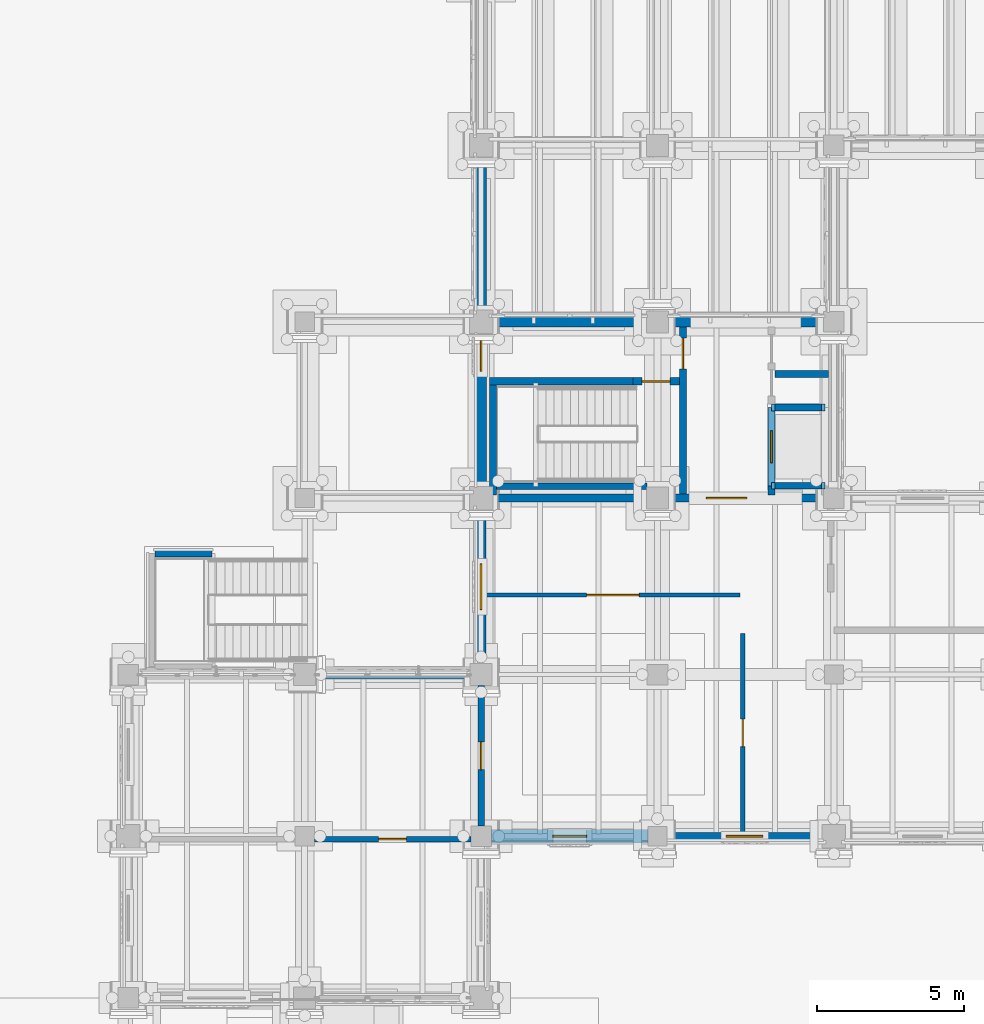
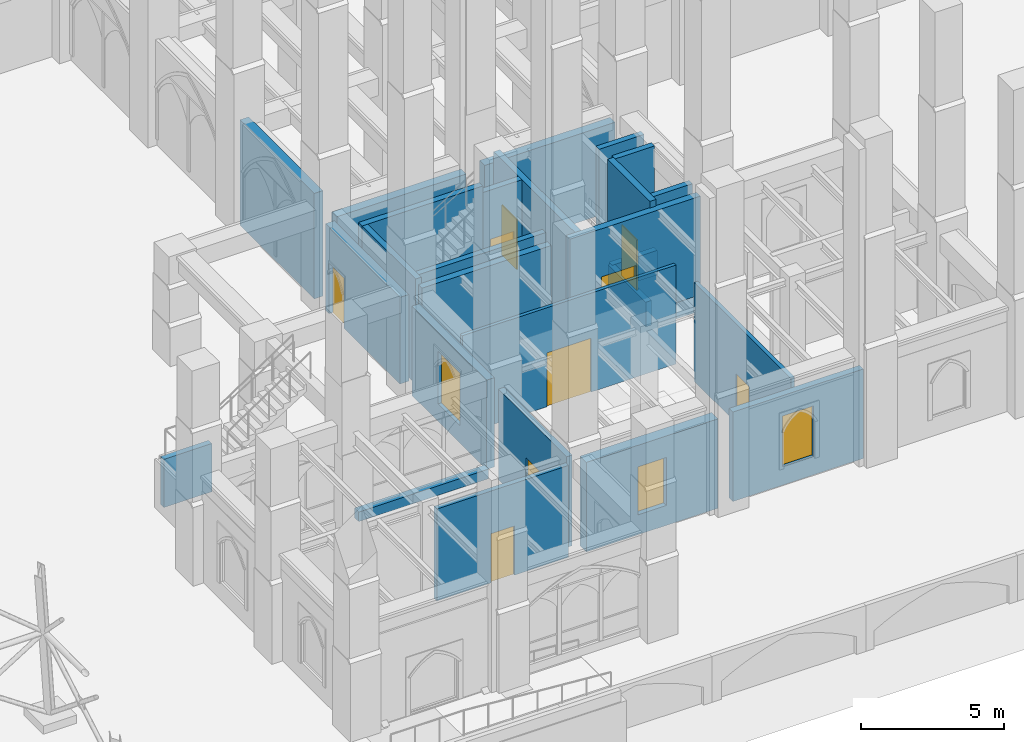
# One storey, part 64 of 135: 27 walls, 9 doors, 3 windows, 12 openings.
"""IFC4 building model written with IfcOpenShell, lengths in metres."""

from ifc_helpers import new_model, si_unit, direction, frame, frame_2d, origin, place, context, subcontext, project, spatial, rectangle, extrude, material, layer, layer_set, type_object, element, fill, save


model = new_model("IFC4")

# Units and contexts
model_context = context("Model", 3, precision=1e-05, world=origin(), true_north=direction((0.0, 1.0)))
body_context = subcontext(model_context, "Body", "Model", "MODEL_VIEW")
ifc_project = project(units=[si_unit("LENGTHUNIT", "METRE"), si_unit("AREAUNIT", "SQUARE_METRE"), si_unit("VOLUMEUNIT", "CUBIC_METRE"), si_unit("PLANEANGLEUNIT", "RADIAN"), si_unit("MASSUNIT", "GRAM", prefix="KILO")], contexts=[model_context])

# Site, building, storey
site_placement = place(None, origin())
site = spatial("IfcSite", under=ifc_project, at=site_placement, CompositionType="ELEMENT")
building_placement = place(site_placement, origin())
building = spatial("IfcBuilding", under=site, at=building_placement, Name="Cumevento Cable Car Station", CompositionType="ELEMENT")
storey_placement = place(building_placement, origin())
storey = spatial("IfcBuildingStorey", under=building, at=storey_placement, Name="L01", CompositionType="ELEMENT", Elevation=0.0)

# Wall, opening, window
ifc_material_1 = material(Name="Gnaisse Facoidal Stone Ashlar 85 MPa", Category="masonry")
ifc_layer_1 = layer(ifc_material_1, 0.264892578125)
ifc_layer_set_1 = layer_set([ifc_layer_1], Name="Gnaisse Facoidal Stone Ashlar 85 MPa")
wall_type_1 = type_object("IfcWallType", Name="Exterior Envelope Wall EW-265 265", PredefinedType="SOLIDWALL", material=ifc_layer_set_1)
wall_1_placement = place(storey_placement, frame((129.60009765625, 9.5, 0.0), z_axis=(0.0, 0.0, 1.0), x_axis=(-1.0, 0.0, 0.0)))
wall_1 = element("IfcWall", 1, at=wall_1_placement, inside=storey, type_object=wall_type_1, Name="Exterior Wall EW-265 L01 #65", PredefinedType="SOLIDWALL", context=body_context, shape_type="SweptSolid", body=[
    extrude(rectangle(XDim=5.275146484375, YDim=0.264892578125, at=frame_2d((2.6376953125, 0.0))), origin(), (0.0, 0.0, 1.0), 3.821044921875),
])
opening_1_placement = place(wall_1_placement, frame((2.012451171875, 0.0, 0.800048828125)))
opening_1 = element("IfcOpeningElement", 2, at=opening_1_placement, cuts=wall_1, Name="Opening WN-L01-029", PredefinedType="OPENING", context=body_context, shape_type="SweptSolid", body=[
    extrude(rectangle(XDim=1.25, YDim=2.14990234375, at=frame_2d((0.625, 1.074951171875))), frame((0.0, 0.142333984375, 0.0), z_axis=(0.0, -1.0, 0.0), x_axis=(1.0, 0.0, 0.0)), (0.0, 0.0, 1.0), 0.284912109375),
])
ifc_material_2 = material(Name="Anodised Bronze Aluminium & Laminated Solar Glass", Category="aluminium")
window_type_1 = type_object("IfcWindowType", Name="Lancet Window WN-05 1250x2150", PartitioningType="SINGLE_PANEL", PredefinedType="WINDOW", material=ifc_material_2)
window_1_placement = place(opening_1_placement, origin())
window_1 = element("IfcWindow", 3, at=window_1_placement, inside=storey, type_object=window_type_1, Name="Lancet Window WN-L01-029 (WN-05)", OverallHeight=2.14990234375, OverallWidth=1.25, PartitioningType="SINGLE_PANEL", PredefinedType="WINDOW", context=body_context, shape_type="SweptSolid", body=[
    extrude(rectangle(XDim=1.25, YDim=2.14990234375, at=frame_2d((0.625, 1.074951171875))), frame((0.0, 0.030029296875, 0.0), z_axis=(0.0, -1.0, 0.0), x_axis=(1.0, 0.0, 0.0)), (0.0, 0.0, 1.0), 0.06005859375),
])
fill(opening_1, window_1)

# Wall
ifc_material_3 = material(Name="Gnaisse Facoidal Stone Ashlar 85 MPa", Category="masonry")
ifc_layer_2 = layer(ifc_material_3, 0.294921875)
ifc_layer_set_2 = layer_set([ifc_layer_2], Name="Gnaisse Facoidal Stone Ashlar 85 MPa")
wall_type_2 = type_object("IfcWallType", Name="Exterior Envelope Wall EW-295 295", PredefinedType="SOLIDWALL", material=ifc_layer_set_2)
wall_2_placement = place(storey_placement, frame((112.375, 15.0, 0.0), z_axis=(0.0, 0.0, 1.0), x_axis=(1.0, 0.0, 0.0)))
element("IfcWall", 4, at=wall_2_placement, inside=storey, type_object=wall_type_2, Name="Exterior Sill Curb Wall EW-295 L01 #26", PredefinedType="SOLIDWALL", context=body_context, shape_type="SweptSolid", body=[
    extrude(rectangle(XDim=5.25, YDim=0.294921875, at=frame_2d((2.625, 0.0))), origin(), (0.0, 0.0, 1.0), 0.409912109375),
])

# Wall, opening, window
ifc_material_4 = material(Name="Gnaisse Facoidal Stone Ashlar 85 MPa", Category="masonry")
ifc_layer_3 = layer(ifc_material_4, 0.324951171875)
ifc_layer_set_3 = layer_set([ifc_layer_3], Name="Gnaisse Facoidal Stone Ashlar 85 MPa")
wall_type_3 = type_object("IfcWallType", Name="Exterior Envelope Wall EW-325 325", PredefinedType="SOLIDWALL", material=ifc_layer_set_3)
wall_3_placement = place(storey_placement, frame((118.0, 15.375, 0.0), z_axis=(0.0, 0.0, 1.0), x_axis=(0.0, 1.0, 0.0)))
wall_3 = element("IfcWall", 5, at=wall_3_placement, inside=storey, type_object=wall_type_3, Name="Exterior Wall EW-325 L01 #69", PredefinedType="SOLIDWALL", context=body_context, shape_type="SweptSolid", body=[
    extrude(rectangle(XDim=5.22509765625, YDim=0.324951171875, at=frame_2d((2.612548828125, 0.0))), origin(), (0.0, 0.0, 1.0), 3.80908203125),
])
opening_2_placement = place(wall_3_placement, frame((1.83740234375, 0.0, 0.75)))
opening_2 = element("IfcOpeningElement", 6, at=opening_2_placement, cuts=wall_3, Name="Opening WN-L01-032", PredefinedType="OPENING", context=body_context, shape_type="SweptSolid", body=[
    extrude(rectangle(XDim=1.550048828125, YDim=2.25, at=frame_2d((0.77490234375, 1.125))), frame((0.0, 0.172607421875, 0.0), z_axis=(0.0, -1.0, 0.0), x_axis=(1.0, 0.0, 0.0)), (0.0, 0.0, 1.0), 0.344970703125),
])
ifc_material_5 = material(Name="Anodised Bronze Aluminium & Laminated Solar Glass", Category="aluminium")
window_type_2 = type_object("IfcWindowType", Name="Lancet Window WN-08 1550x2250", PartitioningType="DOUBLE_PANEL_VERTICAL", PredefinedType="WINDOW", material=ifc_material_5)
window_2_placement = place(opening_2_placement, origin())
window_2 = element("IfcWindow", 7, at=window_2_placement, inside=storey, type_object=window_type_2, Name="Lancet Window WN-L01-032 (WN-08)", OverallHeight=2.25, OverallWidth=1.550048828125, PartitioningType="SINGLE_PANEL", PredefinedType="WINDOW", context=body_context, shape_type="SweptSolid", body=[
    extrude(rectangle(XDim=1.550048828125, YDim=2.25, at=frame_2d((0.77490234375, 1.125))), frame((0.0, 0.030029296875, 0.0), z_axis=(0.0, -1.0, 0.0), x_axis=(1.0, 0.0, 0.0)), (0.0, 0.0, 1.0), 0.06005859375),
])
fill(opening_2, window_2)

# Walls
ifc_material_6 = material(Name="Concrete C40/50", Category="concrete")
ifc_layer_4 = layer(ifc_material_6, 0.35498046875)
ifc_layer_set_4 = layer_set([ifc_layer_4], Name="Concrete C40/50")
wall_type_4 = type_object("IfcWallType", Name="Exterior Envelope Wall EW-355 355", PredefinedType="SOLIDWALL", material=ifc_layer_set_4)
wall_4_placement = place(storey_placement, frame((118.39990234375, 27.0, 0.0), z_axis=(0.0, 0.0, 1.0), x_axis=(1.0, 0.0, 0.0)))
element("IfcWall", 8, at=wall_4_placement, inside=storey, type_object=wall_type_4, Name="Exterior Wall EW-355 L01 #71", PredefinedType="SOLIDWALL", context=body_context, shape_type="SweptSolid", body=[
    extrude(rectangle(XDim=5.22509765625, YDim=0.35498046875, at=frame_2d((2.612548828125, 0.0))), origin(), (0.0, 0.0, 1.0), 3.653076171875),
])
wall_5_placement = place(storey_placement, frame((124.375, 27.0, 0.0), z_axis=(0.0, 0.0, 1.0), x_axis=(1.0, 0.0, 0.0)))
element("IfcWall", 9, at=wall_5_placement, inside=storey, type_object=wall_type_4, Name="Exterior Wall EW-355 L01 #72", PredefinedType="SOLIDWALL", context=body_context, shape_type="SweptSolid", body=[
    extrude(rectangle(XDim=5.27490234375, YDim=0.35498046875, at=frame_2d((2.637451171875, 0.0))), origin(), (0.0, 0.0, 1.0), 3.756103515625),
])

# Wall, opening, door
wall_6_placement = place(storey_placement, frame((118.0, 21.39990234375, 0.0), z_axis=(0.0, 0.0, 1.0), x_axis=(0.0, 1.0, 0.0)))
wall_6 = element("IfcWall", 10, at=wall_6_placement, inside=storey, type_object=wall_type_4, Name="Exterior Wall EW-355 L01 #73", PredefinedType="SOLIDWALL", context=body_context, shape_type="SweptSolid", body=[
    extrude(rectangle(XDim=5.2001953125, YDim=0.35498046875, at=frame_2d((2.60009765625, 0.0))), origin(), (0.0, 0.0, 1.0), 3.702880859375),
])
opening_3_placement = place(wall_6_placement, frame((3.909912109375, 0.0, 0.0)))
opening_3 = element("IfcOpeningElement", 11, at=opening_3_placement, cuts=wall_6, Name="Opening DR-L01-EX5", PredefinedType="OPENING", context=body_context, shape_type="SweptSolid", body=[
    extrude(rectangle(XDim=1.050048828125, YDim=2.139892578125, at=frame_2d((0.52490234375, 1.06982421875))), frame((0.0, 0.1875, 0.0), z_axis=(0.0, -1.0, 0.0), x_axis=(1.0, 0.0, 0.0)), (0.0, 0.0, 1.0), 0.375),
])
ifc_material_7 = material(Name="Galvanised Painted Steel Door Assembly", Category="steel")
door_type_1 = type_object("IfcDoorType", Name="Exterior Door ED-11 1050x2140", OperationType="NOTDEFINED", PredefinedType="DOOR", material=ifc_material_7)
door_1_placement = place(opening_3_placement, origin())
door_1 = element("IfcDoor", 12, at=door_1_placement, inside=storey, type_object=door_type_1, Name="Final Pedestrian Exit E5 (Core C5)", OperationType="SINGLE_SWING_RIGHT", OverallHeight=2.139892578125, OverallWidth=1.050048828125, PredefinedType="DOOR", context=body_context, shape_type="SweptSolid", body=[
    extrude(rectangle(XDim=1.050048828125, YDim=2.139892578125, at=frame_2d((0.52490234375, 1.06982421875))), frame((0.0, 0.02490234375, 0.0), z_axis=(0.0, -1.0, 0.0), x_axis=(1.0, 0.0, 0.0)), (0.0, 0.0, 1.0), 0.050048828125),
])
fill(opening_3, door_1)

# Wall, opening, window
ifc_material_8 = material(Name="Concrete C40/50", Category="concrete")
ifc_layer_5 = layer(ifc_material_8, 0.449951171875)
ifc_layer_set_5 = layer_set([ifc_layer_5], Name="Concrete C40/50")
wall_type_5 = type_object("IfcWallType", Name="Exterior Envelope Wall EW-450 450", PredefinedType="SOLIDWALL", material=ifc_layer_set_5)
wall_7_placement = place(storey_placement, frame((123.675048828125, 9.5, 0.0), z_axis=(0.0, 0.0, 1.0), x_axis=(-1.0, 0.0, 0.0)))
wall_7 = element("IfcWall", 13, at=wall_7_placement, inside=storey, type_object=wall_type_5, Name="Exterior Wall EW-450 L01 #64", PredefinedType="SOLIDWALL", context=body_context, shape_type="SweptSolid", body=[
    extrude(rectangle(XDim=5.324951171875, YDim=0.449951171875, at=frame_2d((2.66259765625, 0.0))), origin(), (0.0, 0.0, 1.0), 3.821044921875),
])
opening_4_placement = place(wall_7_placement, frame((2.08740234375, 0.0, 0.85009765625)))
opening_4 = element("IfcOpeningElement", 14, at=opening_4_placement, cuts=wall_7, Name="Opening WN-L01-028", PredefinedType="OPENING", context=body_context, shape_type="SweptSolid", body=[
    extrude(rectangle(XDim=1.14990234375, YDim=2.050048828125, at=frame_2d((0.574951171875, 1.02490234375))), frame((0.0, 0.235107421875, 0.0), z_axis=(0.0, -1.0, 0.0), x_axis=(1.0, 0.0, 0.0)), (0.0, 0.0, 1.0), 0.469970703125),
])
ifc_material_9 = material(Name="Anodised Bronze Aluminium & Laminated Solar Glass", Category="aluminium")
window_type_3 = type_object("IfcWindowType", Name="Lancet Window WN-04 1150x2050", PartitioningType="SINGLE_PANEL", PredefinedType="WINDOW", material=ifc_material_9)
window_3_placement = place(opening_4_placement, origin())
window_3 = element("IfcWindow", 15, at=window_3_placement, inside=storey, type_object=window_type_3, Name="Lancet Window WN-L01-028 (WN-04)", OverallHeight=2.050048828125, OverallWidth=1.14990234375, PartitioningType="SINGLE_PANEL", PredefinedType="WINDOW", context=body_context, shape_type="SweptSolid", body=[
    extrude(rectangle(XDim=1.14990234375, YDim=2.050048828125, at=frame_2d((0.574951171875, 1.02490234375))), frame((0.0, 0.030029296875, 0.0), z_axis=(0.0, -1.0, 0.0), x_axis=(1.0, 0.0, 0.0)), (0.0, 0.0, 1.0), 0.06005859375),
])
fill(opening_4, window_3)

# Wall, opening, door
ifc_material_10 = material(Name="Concrete C40/50", Category="concrete")
ifc_layer_6 = layer(ifc_material_10, 0.219970703125)
ifc_layer_set_6 = layer_set([ifc_layer_6], Name="Concrete C40/50")
wall_type_6 = type_object("IfcWallType", Name="Interior Partition FW-220 220", PredefinedType="SOLIDWALL", material=ifc_layer_set_6)
wall_8_placement = place(storey_placement, frame((118.0, 9.85205078125, 0.0), z_axis=(0.0, 0.0, 1.0), x_axis=(0.0, 1.0, 0.0)))
wall_8 = element("IfcWall", 16, at=wall_8_placement, inside=storey, type_object=wall_type_6, Name="Interior Wall FW-220 L01 #575", PredefinedType="SOLIDWALL", context=body_context, shape_type="SweptSolid", body=[
    extrude(rectangle(XDim=4.77099609375, YDim=0.219970703125, at=frame_2d((2.385498046875, 0.0))), origin(), (0.0, 0.0, 1.0), 3.8740234375),
])
opening_5_placement = place(wall_8_placement, frame((1.91552734375, 0.0, 0.0)))
opening_5 = element("IfcOpeningElement", 17, at=opening_5_placement, cuts=wall_8, Name="Opening DR-L01-190", PredefinedType="OPENING", context=body_context, shape_type="SweptSolid", body=[
    extrude(rectangle(XDim=0.93994140625, YDim=2.10009765625, at=frame_2d((0.469970703125, 1.050048828125))), frame((0.0, 0.119873046875, 0.0), z_axis=(0.0, -1.0, 0.0), x_axis=(1.0, 0.0, 0.0)), (0.0, 0.0, 1.0), 0.239990234375),
])
ifc_material_11 = material(Name="Galvanised Painted Steel Fire Door", Category="steel")
door_type_2 = type_object("IfcDoorType", Name="Interior Door FD-08 940x2100", OperationType="NOTDEFINED", PredefinedType="DOOR", material=ifc_material_11)
door_2_placement = place(opening_5_placement, origin())
door_2 = element("IfcDoor", 18, at=door_2_placement, inside=storey, type_object=door_type_2, Name="Interior Door DR-L01-190 (FD-08)", OperationType="SINGLE_SWING_LEFT", OverallHeight=2.10009765625, OverallWidth=0.93994140625, PredefinedType="DOOR", context=body_context, shape_type="SweptSolid", body=[
    extrude(rectangle(XDim=0.93994140625, YDim=2.10009765625, at=frame_2d((0.469970703125, 1.050048828125))), frame((0.0, 0.02490234375, 0.0), z_axis=(0.0, -1.0, 0.0), x_axis=(1.0, 0.0, 0.0)), (0.0, 0.0, 1.0), 0.050048828125),
])
fill(opening_5, door_2)

ifc_material_12 = material(Name="Gypsum Board & Insulated Stud Partition", Category="gypsum")
ifc_layer_7 = layer(ifc_material_12, 0.135009765625)
ifc_layer_set_7 = layer_set([ifc_layer_7], Name="Gypsum Board & Insulated Stud Partition")
wall_type_7 = type_object("IfcWallType", Name="Interior Partition PT-135 135", PredefinedType="PARTITIONING", material=ifc_layer_set_7)
wall_9_placement = place(storey_placement, frame((118.16455078125, 17.699951171875, 0.0), z_axis=(0.0, 0.0, 1.0), x_axis=(1.0, 0.0, 0.0)))
wall_9 = element("IfcWall", 19, at=wall_9_placement, inside=storey, type_object=wall_type_7, Name="Interior Wall PT-135 L01 #585", PredefinedType="PARTITIONING", context=body_context, shape_type="SweptSolid", body=[
    extrude(rectangle(XDim=8.635498046875, YDim=0.135009765625, at=frame_2d((4.31787109375, 0.0))), origin(), (0.0, 0.0, 1.0), 4.22802734375),
])
opening_6_placement = place(wall_9_placement, frame((3.427734375, 0.0, 0.0)))
opening_6 = element("IfcOpeningElement", 20, at=opening_6_placement, cuts=wall_9, Name="Opening DR-L01-199", PredefinedType="OPENING", context=body_context, shape_type="SweptSolid", body=[
    extrude(rectangle(XDim=1.780029296875, YDim=2.300048828125, at=frame_2d((0.89013671875, 1.14990234375))), frame((0.0, 0.077392578125, 0.0), z_axis=(0.0, -1.0, 0.0), x_axis=(1.0, 0.0, 0.0)), (0.0, 0.0, 1.0), 0.155029296875),
])
ifc_material_13 = material(Name="Anodised Bronze Aluminium Glazed Door", Category="aluminium")
door_type_3 = type_object("IfcDoorType", Name="Interior Door ID-13 1780x2300", OperationType="NOTDEFINED", PredefinedType="DOOR", material=ifc_material_13)
door_3_placement = place(opening_6_placement, origin())
door_3 = element("IfcDoor", 21, at=door_3_placement, inside=storey, type_object=door_type_3, Name="Interior Door DR-L01-199 (ID-13)", OperationType="DOUBLE_DOOR_SINGLE_SWING", OverallHeight=2.300048828125, OverallWidth=1.780029296875, PredefinedType="DOOR", context=body_context, shape_type="SweptSolid", body=[
    extrude(rectangle(XDim=1.780029296875, YDim=2.300048828125, at=frame_2d((0.89013671875, 1.14990234375))), frame((0.0, 0.02490234375, 0.0), z_axis=(0.0, -1.0, 0.0), x_axis=(1.0, 0.0, 0.0)), (0.0, 0.0, 1.0), 0.050048828125),
])
fill(opening_6, door_3)

ifc_material_14 = material(Name="Gypsum Board & Insulated Stud Partition", Category="gypsum")
ifc_layer_8 = layer(ifc_material_14, 0.155029296875)
ifc_layer_set_8 = layer_set([ifc_layer_8], Name="Gypsum Board & Insulated Stud Partition")
wall_type_8 = type_object("IfcWallType", Name="Interior Partition PT-155 155", PredefinedType="PARTITIONING", material=ifc_layer_set_8)
wall_10_placement = place(storey_placement, frame((126.89990234375, 9.634521484375, 0.0), z_axis=(0.0, 0.0, 1.0), x_axis=(0.0, 1.0, 0.0)))
wall_10 = element("IfcWall", 22, at=wall_10_placement, inside=storey, type_object=wall_type_8, Name="Interior Wall PT-155 L01 #587", PredefinedType="PARTITIONING", context=body_context, shape_type="SweptSolid", body=[
    extrude(rectangle(XDim=6.765380859375, YDim=0.155029296875, at=frame_2d((3.3828125, 0.0))), origin(), (0.0, 0.0, 1.0), 4.22802734375),
])
opening_7_placement = place(wall_10_placement, frame((2.91259765625, 0.0, 0.0)))
opening_7 = element("IfcOpeningElement", 23, at=opening_7_placement, cuts=wall_10, Name="Opening DR-L01-201", PredefinedType="OPENING", context=body_context, shape_type="SweptSolid", body=[
    extrude(rectangle(XDim=0.93994140625, YDim=2.10009765625, at=frame_2d((0.469970703125, 1.050048828125))), frame((0.0, 0.087646484375, 0.0), z_axis=(0.0, -1.0, 0.0), x_axis=(1.0, 0.0, 0.0)), (0.0, 0.0, 1.0), 0.175048828125),
])
door_4_placement = place(opening_7_placement, origin())
door_4 = element("IfcDoor", 24, at=door_4_placement, inside=storey, type_object=door_type_2, Name="Interior Door DR-L01-201 (FD-08)", OperationType="SINGLE_SWING_RIGHT", OverallHeight=2.10009765625, OverallWidth=0.93994140625, PredefinedType="DOOR", context=body_context, shape_type="SweptSolid", body=[
    extrude(rectangle(XDim=0.93994140625, YDim=2.10009765625, at=frame_2d((0.469970703125, 1.050048828125))), frame((0.0, 0.02490234375, 0.0), z_axis=(0.0, -1.0, 0.0), x_axis=(1.0, 0.0, 0.0)), (0.0, 0.0, 1.0), 0.050048828125),
])
fill(opening_7, door_4)

ifc_material_15 = material(Name="Acoustic Double-Stud Partition", Category="gypsum")
ifc_layer_9 = layer(ifc_material_15, 0.195068359375)
ifc_layer_set_9 = layer_set([ifc_layer_9], Name="Acoustic Double-Stud Partition")
wall_type_9 = type_object("IfcWallType", Name="Interior Partition PT-195 195", PredefinedType="PARTITIONING", material=ifc_layer_set_9)
wall_11_placement = place(storey_placement, frame((112.326904296875, 9.39990234375, 0.0), z_axis=(0.0, 0.0, 1.0), x_axis=(1.0, 0.0, 0.0)))
wall_11 = element("IfcWall", 25, at=wall_11_placement, inside=storey, type_object=wall_type_9, Name="Interior Wall PT-195 L01 #573", PredefinedType="PARTITIONING", context=body_context, shape_type="SweptSolid", body=[
    extrude(rectangle(XDim=5.321044921875, YDim=0.195068359375, at=frame_2d((2.66064453125, 0.0))), origin(), (0.0, 0.0, 1.0), 3.922119140625),
])
opening_8_placement = place(wall_11_placement, frame((2.1904296875, 0.0, 0.0)))
opening_8 = element("IfcOpeningElement", 26, at=opening_8_placement, cuts=wall_11, Name="Opening DR-L01-189", PredefinedType="OPENING", context=body_context, shape_type="SweptSolid", body=[
    extrude(rectangle(XDim=0.93994140625, YDim=2.10009765625, at=frame_2d((0.469970703125, 1.050048828125))), frame((0.0, 0.107666015625, 0.0), z_axis=(0.0, -1.0, 0.0), x_axis=(1.0, 0.0, 0.0)), (0.0, 0.0, 1.0), 0.215087890625),
])
door_5_placement = place(opening_8_placement, origin())
door_5 = element("IfcDoor", 27, at=door_5_placement, inside=storey, type_object=door_type_2, Name="Interior Door DR-L01-189 (FD-08)", OperationType="SINGLE_SWING_RIGHT", OverallHeight=2.10009765625, OverallWidth=0.93994140625, PredefinedType="DOOR", context=body_context, shape_type="SweptSolid", body=[
    extrude(rectangle(XDim=0.93994140625, YDim=2.10009765625, at=frame_2d((0.469970703125, 1.050048828125))), frame((0.0, 0.02490234375, 0.0), z_axis=(0.0, -1.0, 0.0), x_axis=(1.0, 0.0, 0.0)), (0.0, 0.0, 1.0), 0.050048828125),
])
fill(opening_8, door_5)

# Walls
ifc_material_16 = material(Name="Concrete C40/50", Category="concrete")
ifc_layer_10 = layer(ifc_material_16, 0.22998046875)
ifc_layer_set_10 = layer_set([ifc_layer_10], Name="Concrete C40/50")
wall_type_10 = type_object("IfcWallType", Name="Interior Shear Wall CW-230 230", PredefinedType="SHEAR", material=ifc_layer_set_10)
for number, where, z_axis, x_axis, name in (
    (28, (127.8798828125, 21.419921875, -1.050048828125), (0.0, 0.0, 1.0), (1.0, 0.0, 0.0), "Interior Wall CW-230 L01 #398"),
    (29, (129.699951171875, 24.080078125, -1.050048828125), (0.0, 0.0, 1.0), (-1.0, 0.0, 0.0), "Interior Wall CW-230 L01 #400"),
):
    element("IfcWall", number, at=place(storey_placement, frame(where, z_axis=z_axis, x_axis=x_axis)), inside=storey, type_object=wall_type_10, Name=name, PredefinedType="SHEAR", context=body_context, shape_type="SweptSolid", body=[
        extrude(rectangle(XDim=1.820068359375, YDim=0.22998046875, at=frame_2d((0.91015625, 0.0))), origin(), (0.0, 0.0, 1.0), 1.050048828125),
    ])
wall_12_placement = place(storey_placement, frame((127.8798828125, 24.080078125, -1.050048828125), z_axis=(0.0, 0.0, 1.0), x_axis=(0.0, -1.0, 0.0)))
element("IfcWall", 30, at=wall_12_placement, inside=storey, type_object=wall_type_10, Name="Interior Wall CW-230 L01 #401", PredefinedType="SHEAR", context=body_context, shape_type="SweptSolid", body=[
    extrude(rectangle(XDim=2.66015625, YDim=0.22998046875, at=frame_2d((1.330078125, 0.0))), origin(), (0.0, 0.0, 1.0), 1.050048828125),
])
wall_13_placement = place(storey_placement, frame((118.405029296875, 21.114990234375, 0.0), z_axis=(0.0, 0.0, 1.0), x_axis=(0.0, 1.0, 0.0)))
element("IfcWall", 31, at=wall_13_placement, inside=storey, type_object=wall_type_10, Name="Interior Wall CW-230 L01 #408", PredefinedType="SHEAR", context=body_context, shape_type="SweptSolid", body=[
    extrude(rectangle(XDim=3.735107421875, YDim=0.22998046875, at=frame_2d((1.86767578125, 0.0))), origin(), (0.0, 0.0, 1.0), 4.5),
])
wall_14_placement = place(storey_placement, frame((118.52001953125, 21.405029296875, 0.0), z_axis=(0.0, 0.0, 1.0), x_axis=(1.0, 0.0, 0.0)))
element("IfcWall", 32, at=wall_14_placement, inside=storey, type_object=wall_type_10, Name="Interior Wall CW-230 L01 #409", PredefinedType="SHEAR", context=body_context, shape_type="SweptSolid", body=[
    extrude(rectangle(XDim=5.1298828125, YDim=0.22998046875, at=frame_2d((2.56494140625, 0.0))), origin(), (0.0, 0.0, 1.0), 4.5),
])
for number, where, z_axis, x_axis, name in (
    (33, (128.0048828125, 21.419921875, 0.0), (0.0, 0.0, 1.0), (1.0, 0.0, 0.0), "Interior Wall CW-230 L01 #414"),
    (34, (128.0048828125, 24.080078125, 0.0), (0.0, 0.0, 1.0), (1.0, 0.0, 0.0), "Interior Wall CW-230 L01 #416"),
):
    element("IfcWall", number, at=place(storey_placement, frame(where, z_axis=z_axis, x_axis=x_axis)), inside=storey, type_object=wall_type_10, Name=name, PredefinedType="SHEAR", context=body_context, shape_type="SweptSolid", body=[
        extrude(rectangle(XDim=1.580078125, YDim=0.22998046875, at=frame_2d((0.7900390625, 0.0))), origin(), (0.0, 0.0, 1.0), 4.5),
    ])
wall_15_placement = place(storey_placement, frame((128.0048828125, 25.219970703125, 0.0), z_axis=(0.0, 0.0, 1.0), x_axis=(1.0, 0.0, 0.0)))
element("IfcWall", 35, at=wall_15_placement, inside=storey, type_object=wall_type_10, Name="Interior Wall CW-230 L01 #418", PredefinedType="SHEAR", context=body_context, shape_type="SweptSolid", body=[
    extrude(rectangle(XDim=1.820068359375, YDim=0.22998046875, at=frame_2d((0.91015625, 0.0))), origin(), (0.0, 0.0, 1.0), 4.216064453125),
])
wall_16_placement = place(storey_placement, frame((106.89990234375, 19.1201171875, 0.0), z_axis=(0.0, 0.0, 1.0), x_axis=(1.0, 0.0, 0.0)))
element("IfcWall", 36, at=wall_16_placement, inside=storey, type_object=wall_type_10, Name="Interior Wall CW-230 L01 #550", PredefinedType="SHEAR", context=body_context, shape_type="SweptSolid", body=[
    extrude(rectangle(XDim=1.940185546875, YDim=0.22998046875, at=frame_2d((0.97021484375, 0.0))), origin(), (0.0, 0.0, 1.0), 2.05908203125),
])
ifc_material_17 = material(Name="Concrete C40/50", Category="concrete")
ifc_layer_11 = layer(ifc_material_17, 0.25)
ifc_layer_set_11 = layer_set([ifc_layer_11], Name="Concrete C40/50")
wall_type_11 = type_object("IfcWallType", Name="Interior Shear Wall CW-250 250", PredefinedType="SHEAR", material=ifc_layer_set_11)
wall_17_placement = place(storey_placement, frame((118.2900390625, 24.97509765625, 0.0), z_axis=(0.0, 0.0, 1.0), x_axis=(1.0, 0.0, 0.0)))
element("IfcWall", 37, at=wall_17_placement, inside=storey, type_object=wall_type_11, Name="Interior Wall CW-250 L01 #410", PredefinedType="SHEAR", context=body_context, shape_type="SweptSolid", body=[
    extrude(rectangle(XDim=4.869873046875, YDim=0.25, at=frame_2d((2.43505859375, 0.0))), origin(), (0.0, 0.0, 1.0), 4.5),
])

# Wall, opening, door
wall_18_placement = place(storey_placement, frame((123.159912109375, 24.97509765625, 0.0), z_axis=(0.0, 0.0, 1.0), x_axis=(1.0, 0.0, 0.0)))
wall_18 = element("IfcWall", 38, at=wall_18_placement, inside=storey, type_object=wall_type_11, Name="Interior Wall CW-250 L01 #411", PredefinedType="SHEAR", context=body_context, shape_type="SweptSolid", body=[
    extrude(rectangle(XDim=1.580078125, YDim=0.25, at=frame_2d((0.7900390625, 0.0))), origin(), (0.0, 0.0, 1.0), 4.216064453125),
])
opening_9_placement = place(wall_18_placement, frame((0.31005859375, 0.0, 0.0)))
opening_9 = element("IfcOpeningElement", 39, at=opening_9_placement, cuts=wall_18, Name="Opening DR-L01-125", PredefinedType="OPENING", context=body_context, shape_type="SweptSolid", body=[
    extrude(rectangle(XDim=0.9599609375, YDim=2.1201171875, at=frame_2d((0.47998046875, 1.06005859375))), frame((0.0, 0.135009765625, 0.0), z_axis=(0.0, -1.0, 0.0), x_axis=(1.0, 0.0, 0.0)), (0.0, 0.0, 1.0), 0.27001953125),
])
ifc_material_18 = material(Name="Galvanised Painted Steel Fire Door", Category="steel")
door_type_4 = type_object("IfcDoorType", Name="Interior Door FD-01 960x2120", OperationType="NOTDEFINED", PredefinedType="DOOR", material=ifc_material_18)
door_6_placement = place(opening_9_placement, origin())
door_6 = element("IfcDoor", 40, at=door_6_placement, inside=storey, type_object=door_type_4, Name="Stair ST-05 Enclosure Door L01", OperationType="SINGLE_SWING_RIGHT", OverallHeight=2.1201171875, OverallWidth=0.9599609375, PredefinedType="DOOR", context=body_context, shape_type="SweptSolid", body=[
    extrude(rectangle(XDim=0.9599609375, YDim=2.1201171875, at=frame_2d((0.47998046875, 1.06005859375))), frame((0.0, 0.02490234375, 0.0), z_axis=(0.0, -1.0, 0.0), x_axis=(1.0, 0.0, 0.0)), (0.0, 0.0, 1.0), 0.050048828125),
])
fill(opening_9, door_6)

wall_19_placement = place(storey_placement, frame((124.864990234375, 21.137451171875, 0.0), z_axis=(0.0, 0.0, 1.0), x_axis=(0.0, 1.0, 0.0)))
wall_19 = element("IfcWall", 41, at=wall_19_placement, inside=storey, type_object=wall_type_11, Name="Interior Wall CW-250 L01 #412", PredefinedType="SHEAR", context=body_context, shape_type="SweptSolid", body=[
    extrude(rectangle(XDim=5.6875, YDim=0.25, at=frame_2d((2.84375, 0.0))), origin(), (0.0, 0.0, 1.0), 4.216064453125),
])
opening_10_placement = place(wall_19_placement, frame((4.262451171875, 0.0, 0.0)))
opening_10 = element("IfcOpeningElement", 42, at=opening_10_placement, cuts=wall_19, Name="Opening DR-L01-126", PredefinedType="OPENING", context=body_context, shape_type="SweptSolid", body=[
    extrude(rectangle(XDim=1.0400390625, YDim=2.139892578125, at=frame_2d((0.52001953125, 1.06982421875))), frame((0.0, 0.135009765625, 0.0), z_axis=(0.0, -1.0, 0.0), x_axis=(1.0, 0.0, 0.0)), (0.0, 0.0, 1.0), 0.27001953125),
])
ifc_material_19 = material(Name="Galvanised Painted Steel Fire Door", Category="steel")
door_type_5 = type_object("IfcDoorType", Name="Interior Door FD-02 1040x2140", OperationType="NOTDEFINED", PredefinedType="DOOR", material=ifc_material_19)
door_7_placement = place(opening_10_placement, origin())
door_7 = element("IfcDoor", 43, at=door_7_placement, inside=storey, type_object=door_type_5, Name="Lobby Vestibule Door CORE5 L01", OperationType="SINGLE_SWING_LEFT", OverallHeight=2.139892578125, OverallWidth=1.0400390625, PredefinedType="DOOR", context=body_context, shape_type="SweptSolid", body=[
    extrude(rectangle(XDim=1.0400390625, YDim=2.139892578125, at=frame_2d((0.52001953125, 1.06982421875))), frame((0.0, 0.02490234375, 0.0), z_axis=(0.0, -1.0, 0.0), x_axis=(1.0, 0.0, 0.0)), (0.0, 0.0, 1.0), 0.050048828125),
])
fill(opening_10, door_7)

wall_20_placement = place(storey_placement, frame((127.8798828125, 21.114990234375, 0.0), z_axis=(0.0, 0.0, 1.0), x_axis=(0.0, 1.0, 0.0)))
wall_20 = element("IfcWall", 44, at=wall_20_placement, inside=storey, type_object=wall_type_11, Name="Interior Wall CW-250 L01 #413", PredefinedType="SHEAR", context=body_context, shape_type="SweptSolid", body=[
    extrude(rectangle(XDim=2.965087890625, YDim=0.25, at=frame_2d((1.482421875, 0.0))), origin(), (0.0, 0.0, 1.0), 4.5),
])
opening_11_placement = place(wall_20_placement, frame((1.094970703125, 0.0, 0.0)))
opening_11 = element("IfcOpeningElement", 45, at=opening_11_placement, cuts=wall_20, Name="Opening LD-LF05-L01", PredefinedType="OPENING", context=body_context, shape_type="SweptSolid", body=[
    extrude(rectangle(XDim=1.080078125, YDim=2.14990234375, at=frame_2d((0.5400390625, 1.074951171875))), frame((0.0, 0.135009765625, 0.0), z_axis=(0.0, -1.0, 0.0), x_axis=(1.0, 0.0, 0.0)), (0.0, 0.0, 1.0), 0.27001953125),
])
ifc_material_20 = material(Name="Brushed Stainless Steel Lift Door", Category="steel")
door_type_6 = type_object("IfcDoorType", Name="Interior Door LD-01 1080x2150", OperationType="NOTDEFINED", PredefinedType="DOOR", material=ifc_material_20)
door_8_placement = place(opening_11_placement, origin())
door_8 = element("IfcDoor", 46, at=door_8_placement, inside=storey, type_object=door_type_6, Name="Lift Landing Door LD-LF05-L01", OperationType="DOUBLE_DOOR_SLIDING", OverallHeight=2.14990234375, OverallWidth=1.080078125, PredefinedType="DOOR", context=body_context, shape_type="SweptSolid", body=[
    extrude(rectangle(XDim=1.080078125, YDim=2.14990234375, at=frame_2d((0.5400390625, 1.074951171875))), frame((0.0, 0.02490234375, 0.0), z_axis=(0.0, -1.0, 0.0), x_axis=(1.0, 0.0, 0.0)), (0.0, 0.0, 1.0), 0.050048828125),
])
fill(opening_11, door_8)

# Wall
ifc_material_21 = material(Name="Concrete C40/50", Category="concrete")
ifc_layer_12 = layer(ifc_material_21, 0.27490234375)
ifc_layer_set_12 = layer_set([ifc_layer_12], Name="Concrete C40/50")
wall_type_12 = type_object("IfcWallType", Name="Interior Shear Wall CW-275 275", PredefinedType="SHEAR", material=ifc_layer_set_12)
wall_21_placement = place(storey_placement, frame((118.39990234375, 21.0, 0.0), z_axis=(0.0, 0.0, 1.0), x_axis=(1.0, 0.0, 0.0)))
element("IfcWall", 47, at=wall_21_placement, inside=storey, type_object=wall_type_12, Name="Interior Wall CW-275 L01 #406", PredefinedType="SHEAR", context=body_context, shape_type="SweptSolid", body=[
    extrude(rectangle(XDim=5.22509765625, YDim=0.27490234375, at=frame_2d((2.612548828125, 0.0))), origin(), (0.0, 0.0, 1.0), 4.216064453125),
])

# Wall, opening, door
wall_22_placement = place(storey_placement, frame((124.375, 21.0, 0.0), z_axis=(0.0, 0.0, 1.0), x_axis=(1.0, 0.0, 0.0)))
wall_22 = element("IfcWall", 48, at=wall_22_placement, inside=storey, type_object=wall_type_12, Name="Interior Wall CW-275 L01 #407", PredefinedType="SHEAR", context=body_context, shape_type="SweptSolid", body=[
    extrude(rectangle(XDim=5.27490234375, YDim=0.27490234375, at=frame_2d((2.637451171875, 0.0))), origin(), (0.0, 0.0, 1.0), 4.216064453125),
])
opening_12_placement = place(wall_22_placement, frame((1.284912109375, 0.0, 0.0)))
opening_12 = element("IfcOpeningElement", 49, at=opening_12_placement, cuts=wall_22, Name="Opening DR-L01-124", PredefinedType="OPENING", context=body_context, shape_type="SweptSolid", body=[
    extrude(rectangle(XDim=1.3798828125, YDim=2.159912109375, at=frame_2d((0.68994140625, 1.080078125))), frame((0.0, 0.1474609375, 0.0), z_axis=(0.0, -1.0, 0.0), x_axis=(1.0, 0.0, 0.0)), (0.0, 0.0, 1.0), 0.294921875),
])
ifc_material_22 = material(Name="Galvanised Painted Steel Fire Door", Category="steel")
door_type_7 = type_object("IfcDoorType", Name="Interior Door FD-04 1380x2160", OperationType="NOTDEFINED", PredefinedType="DOOR", material=ifc_material_22)
door_9_placement = place(opening_12_placement, origin())
door_9 = element("IfcDoor", 50, at=door_9_placement, inside=storey, type_object=door_type_7, Name="Core CORE5 S_lobby Fire Door L01", OperationType="DOUBLE_DOOR_SINGLE_SWING", OverallHeight=2.159912109375, OverallWidth=1.3798828125, PredefinedType="DOOR", context=body_context, shape_type="SweptSolid", body=[
    extrude(rectangle(XDim=1.3798828125, YDim=2.159912109375, at=frame_2d((0.68994140625, 1.080078125))), frame((0.0, 0.02490234375, 0.0), z_axis=(0.0, -1.0, 0.0), x_axis=(1.0, 0.0, 0.0)), (0.0, 0.0, 1.0), 0.050048828125),
])
fill(opening_12, door_9)

# Wall
ifc_material_23 = material(Name="Concrete C40/50", Category="concrete")
ifc_layer_13 = layer(ifc_material_23, 0.360107421875)
ifc_layer_set_13 = layer_set([ifc_layer_13], Name="Concrete C40/50")
wall_type_13 = type_object("IfcWallType", Name="Retaining Wall RW-360 360", PredefinedType="USERDEFINED", material=ifc_layer_set_13)
wall_23_placement = place(storey_placement, frame((118.0, 27.39990234375, 0.0), z_axis=(0.0, 0.0, 1.0), x_axis=(0.0, 1.0, 0.0)))
element("IfcWall", 51, at=wall_23_placement, inside=storey, type_object=wall_type_13, Name="Retaining Wall RW-360 L01 #73", ObjectType="RETAININGWALL", PredefinedType="USERDEFINED", context=body_context, shape_type="SweptSolid", body=[
    extrude(rectangle(XDim=5.2001953125, YDim=0.360107421875, at=frame_2d((2.60009765625, 0.0))), origin(), (0.0, 0.0, 1.0), 4.5),
])

save(model, "model.ifc")
